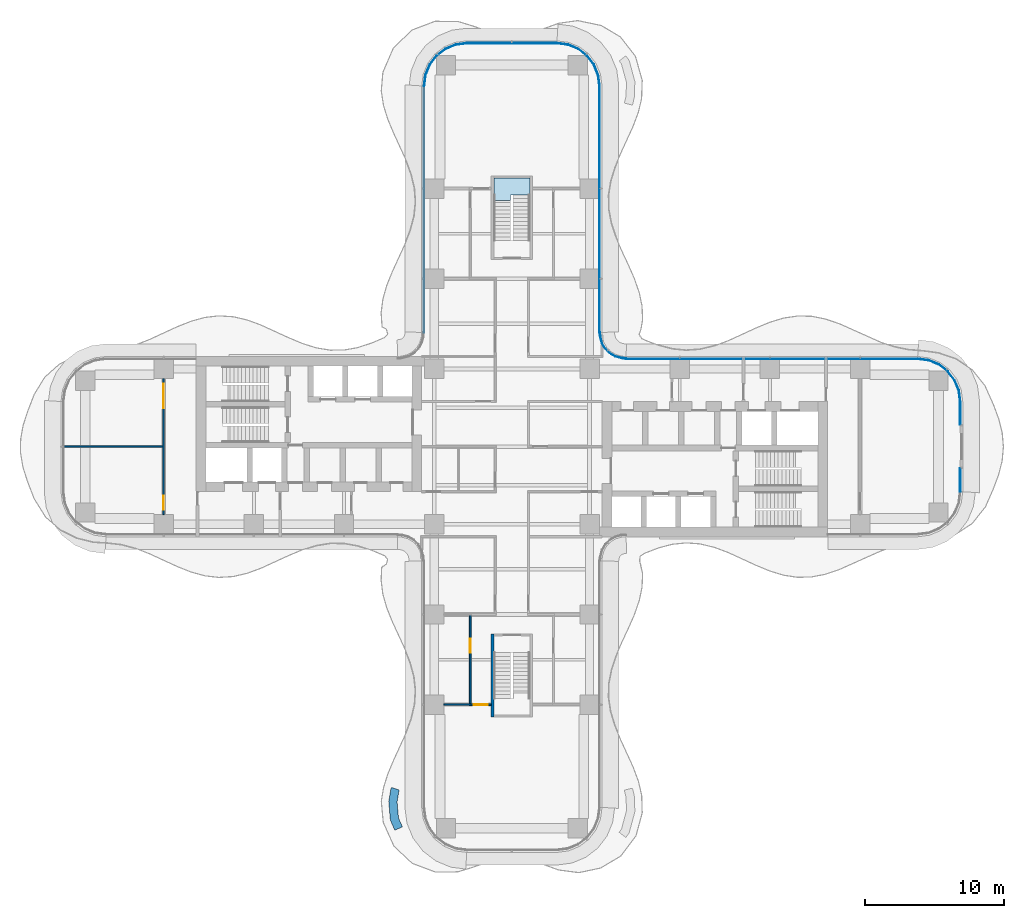
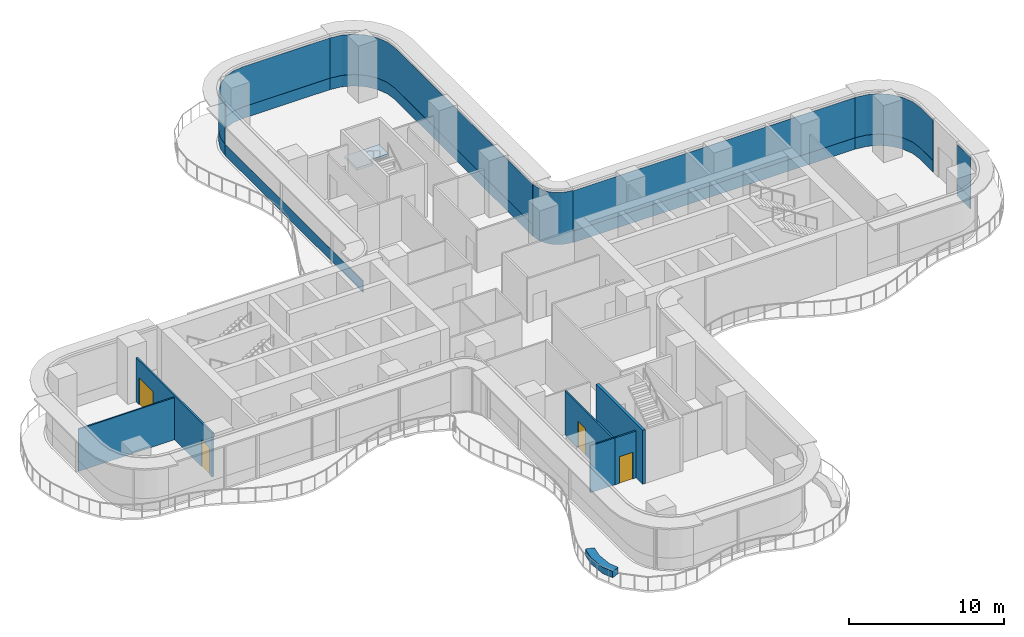
# One storey, part 16 of 22: 12 plates, 7 walls, 4 doors, 1 slab, 4 openings, 8 elements without a shape of their own.
"""IFC4 building model written with IfcOpenShell, lengths in metres."""

from ifc_helpers import new_model, si_unit, direction, frame, frame_2d, origin, place, context, subcontext, project, spatial, polyline, rectangle, outline, extrude, source, transform, mapped, material, layer, layer_set, type_object, element, fill, aggregate, save


model = new_model("IFC4")

# Units and contexts
model_context = context("Model", 3, precision=1e-05, world=origin(), true_north=direction((0.0, 1.0)))
body_context = subcontext(model_context, "Body", "Model", "MODEL_VIEW")
ifc_project = project(units=[si_unit("LENGTHUNIT", "METRE"), si_unit("AREAUNIT", "SQUARE_METRE"), si_unit("VOLUMEUNIT", "CUBIC_METRE"), si_unit("PLANEANGLEUNIT", "RADIAN"), si_unit("MASSUNIT", "GRAM", prefix="KILO")], contexts=[model_context])

# Site, building, storey
site_placement = place(None, origin())
site = spatial("IfcSite", under=ifc_project, at=site_placement, CompositionType="ELEMENT")
building_placement = place(site_placement, origin())
building = spatial("IfcBuilding", under=site, at=building_placement, Name="Trellis Farm Tower", CompositionType="ELEMENT")
storey_placement = place(building_placement, frame((0.0, 0.0, 43.0)))
storey = spatial("IfcBuildingStorey", under=building, at=storey_placement, Name="L08", CompositionType="ELEMENT", Elevation=43.0)

# Stair, slab
ifc_material_1 = material(Name="Concrete C50/60", Category="concrete")
stair_type = type_object("IfcStairType", Name="CORE EXIT STAIR 26 RISERS 173 MM", PredefinedType="HALF_TURN_STAIR", material=ifc_material_1)
placement_1 = place(storey_placement, origin())
stair = element("IfcStair", 1, at=placement_1, inside=storey, type_object=stair_type, Name="Exit stair N", PredefinedType="HALF_TURN_STAIR")
ifc_layer_1 = layer(ifc_material_1, 0.18994140625)
ifc_layer_set_1 = layer_set([ifc_layer_1], Name="CORE STAIR LANDING 190 CONCRETE C50/60")
slab_type = type_object("IfcSlabType", Name="CORE STAIR LANDING 190 CONCRETE C50/60", PredefinedType="LANDING", material=ifc_layer_set_1)
shared_shape_1 = source(origin(), body_context, "Body", "SweptSolid", [
    extrude(outline(polyline([(-0.10009765625, 17.753173828125), (-1.300048828125, 17.753173828125), (-1.300048828125, 18.14990234375), (-1.300048828125, 19.35009765625), (1.300048828125, 19.35009765625), (1.300048828125, 18.14990234375), (1.300048828125, 18.139892578125), (0.10009765625, 18.139892578125), (0.10009765625, 18.14990234375), (-0.10009765625, 18.14990234375), (-0.10009765625, 17.753173828125)])), origin(), (0.0, 0.0, 1.0), 0.18994140625),
])
slab_placement = place(storey_placement, frame((0.0, 0.0, 2.06005859375)))
slab = element("IfcSlab", 2, at=slab_placement, type_object=slab_type, Name="STN landing 1", PredefinedType="LANDING", context=body_context, shape_type="MappedRepresentation", body=[
    mapped(shared_shape_1, transform((0.0, 0.0, 0.0))),
])
aggregate(stair, [slab])

# Curtain wall, plates
ifc_material_2 = material(Name="Aluminium and glass curtain wall", Category="aluminium")
ifc_layer_2 = layer(ifc_material_2, 0.18994140625)
ifc_layer_set_2 = layer_set([ifc_layer_2], Name="RIBBON CURTAIN WALL CW1")
curtain_wall_type_1 = type_object("IfcCurtainWallType", Name="RIBBON CURTAIN WALL CW1", PredefinedType="NOTDEFINED", material=ifc_layer_set_2)
curtain_wall_1 = element("IfcCurtainWall", 3, at=placement_1, inside=storey, type_object=curtain_wall_type_1, Name="CW1 008", PredefinedType="NOTDEFINED")
ifc_material_3 = material(Name="Clear insulated glass", Category="glass")
ifc_layer_3 = layer(ifc_material_3, 0.0400390625)
ifc_layer_set_3 = layer_set([ifc_layer_3], Name="CW1 GLASS PANEL 40")
plate_type_1 = type_object("IfcPlateType", Name="CW1 GLASS PANEL 40", PredefinedType="CURTAIN_PANEL", material=ifc_layer_set_3)
shared_shape_2 = source(origin(), body_context, "Body", "SweptSolid", [
    extrude(outline(polyline([(29.240234375, 6.35009765625), (8.2265625, 6.35009765625), (8.22509765625, 6.31005859375), (29.237548828125, 6.31005859375), (29.240234375, 6.35009765625)])), origin(), (0.0, 0.0, 1.0), 3.170166015625),
])
placement_2 = place(storey_placement, frame((0.0, 0.0, 0.89990234375)))
plate_1 = element("IfcPlate", 4, at=placement_2, type_object=plate_type_1, Name="PL1 008", PredefinedType="CURTAIN_PANEL", context=body_context, shape_type="MappedRepresentation", body=[
    mapped(shared_shape_2, transform((0.0, 0.0, 0.0))),
])
ifc_material_4 = material(Name="Sandstone faced insulated panel", Category="masonry")
ifc_layer_4 = layer(ifc_material_4, 0.050048828125)
ifc_layer_set_4 = layer_set([ifc_layer_4], Name="CW1 STONE SPANDREL PANEL 50")
plate_type_2 = type_object("IfcPlateType", Name="CW1 STONE SPANDREL PANEL 50", PredefinedType="CURTAIN_PANEL", material=ifc_layer_set_4)
shared_shape_3 = source(origin(), body_context, "Body", "SweptSolid", [
    extrude(outline(polyline([(29.240234375, 6.35009765625), (8.2265625, 6.35009765625), (8.224853515625, 6.300048828125), (29.23681640625, 6.300048828125), (29.240234375, 6.35009765625)])), origin(), (0.0, 0.0, 1.0), 0.89990234375),
])
plate_2 = element("IfcPlate", 5, at=placement_1, type_object=plate_type_2, Name="PS1 008", PredefinedType="CURTAIN_PANEL", context=body_context, shape_type="MappedRepresentation", body=[
    mapped(shared_shape_3, transform((0.0, 0.0, 0.0))),
])
aggregate(curtain_wall_1, [plate_1, plate_2])

# Curtain wall, plate
ifc_layer_5 = layer(ifc_material_2, 0.166015625)
ifc_layer_set_5 = layer_set([ifc_layer_5], Name="WINTER GARDEN CURTAIN WALL CW3")
curtain_wall_type_2 = type_object("IfcCurtainWallType", Name="WINTER GARDEN CURTAIN WALL CW3", PredefinedType="NOTDEFINED", material=ifc_layer_set_5)
curtain_wall_2 = element("IfcCurtainWall", 6, at=placement_1, inside=storey, type_object=curtain_wall_type_2, Name="CW3 003", PredefinedType="NOTDEFINED")
ifc_layer_6 = layer(ifc_material_3, 0.0458984375)
ifc_layer_set_6 = layer_set([ifc_layer_6], Name="CW3 GLASS PANEL 46")
plate_type_3 = type_object("IfcPlateType", Name="CW3 GLASS PANEL 46", PredefinedType="CURTAIN_PANEL", material=ifc_layer_set_6)
shared_shape_4 = source(origin(), body_context, "Body", "SweptSolid", [
    extrude(outline(polyline([(8.2275390625, 6.3798828125), (8.0078125, 6.394287109375), (7.89208984375, 6.40966796875), (7.462158203125, 6.52490234375), (7.070556640625, 6.7509765625), (6.7509765625, 7.070556640625), (6.52490234375, 7.462158203125), (6.40966796875, 7.89208984375), (6.394287109375, 8.0078125), (6.3798828125, 8.2275390625), (6.333984375, 8.22607421875), (6.3486328125, 8.003173828125), (6.364501953125, 7.883056640625), (6.48193359375, 7.4443359375), (6.714111328125, 7.04248046875), (7.04248046875, 6.714111328125), (7.4443359375, 6.48193359375), (7.883056640625, 6.364501953125), (8.003173828125, 6.3486328125), (8.22607421875, 6.333984375), (8.2275390625, 6.3798828125)])), origin(), (0.0, 0.0, 1.0), 4.10009765625),
])
plate_3 = element("IfcPlate", 7, at=placement_1, type_object=plate_type_3, Name="PL3 003", PredefinedType="CURTAIN_PANEL", context=body_context, shape_type="MappedRepresentation", body=[
    mapped(shared_shape_4, transform((0.0, 0.0, 0.0))),
])
aggregate(curtain_wall_2, [plate_3])

# Curtain wall, plates
curtain_wall_3 = element("IfcCurtainWall", 8, at=placement_1, inside=storey, type_object=curtain_wall_type_1, Name="CW1 010", PredefinedType="NOTDEFINED")
shared_shape_5 = source(origin(), body_context, "Body", "SweptSolid", [
    extrude(outline(polyline([(3.240234375, 29.10009765625), (-3.240234375, 29.10009765625), (-4.052001953125, 28.9931640625), (-4.79931640625, 28.68359375), (-5.441162109375, 28.191162109375), (-5.93359375, 27.54931640625), (-6.2431640625, 26.802001953125), (-6.35009765625, 25.990234375), (-6.31005859375, 25.987548828125), (-6.2041015625, 26.79150390625), (-5.898681640625, 27.529296875), (-5.41259765625, 28.16259765625), (-4.779296875, 28.648681640625), (-4.04150390625, 28.9541015625), (-3.237548828125, 29.06005859375), (3.237548828125, 29.06005859375), (3.240234375, 29.10009765625)])), origin(), (0.0, 0.0, 1.0), 3.170166015625),
])
plate_4 = element("IfcPlate", 9, at=placement_2, type_object=plate_type_1, Name="PL1 010", PredefinedType="CURTAIN_PANEL", context=body_context, shape_type="MappedRepresentation", body=[
    mapped(shared_shape_5, transform((0.0, 0.0, 0.0))),
])
shared_shape_6 = source(origin(), body_context, "Body", "SweptSolid", [
    extrude(outline(polyline([(3.240234375, 29.10009765625), (-3.240234375, 29.10009765625), (-4.052001953125, 28.9931640625), (-4.79931640625, 28.68359375), (-5.441162109375, 28.191162109375), (-5.93359375, 27.54931640625), (-6.2431640625, 26.802001953125), (-6.35009765625, 25.990234375), (-6.300048828125, 25.98681640625), (-6.1943359375, 26.7890625), (-5.889892578125, 27.524169921875), (-5.405517578125, 28.155517578125), (-4.774169921875, 28.639892578125), (-4.0390625, 28.9443359375), (-3.23681640625, 29.050048828125), (3.23681640625, 29.050048828125), (3.240234375, 29.10009765625)])), origin(), (0.0, 0.0, 1.0), 0.89990234375),
])
plate_5 = element("IfcPlate", 10, at=placement_1, type_object=plate_type_2, Name="PS1 010", PredefinedType="CURTAIN_PANEL", context=body_context, shape_type="MappedRepresentation", body=[
    mapped(shared_shape_6, transform((0.0, 0.0, 0.0))),
])
aggregate(curtain_wall_3, [plate_4, plate_5])

# Curtain wall, plate
curtain_wall_4 = element("IfcCurtainWall", 11, at=placement_1, inside=storey, type_object=curtain_wall_type_1, Name="CW1 011", PredefinedType="NOTDEFINED")
shared_shape_7 = source(origin(), body_context, "Body", "SweptSolid", [
    extrude(outline(polyline([(-6.35009765625, 25.990234375), (-6.35009765625, 8.2265625), (-6.300048828125, 8.224853515625), (-6.300048828125, 25.98681640625), (-6.35009765625, 25.990234375)])), origin(), (0.0, 0.0, 1.0), 0.89990234375),
])
plate_6 = element("IfcPlate", 12, at=placement_1, type_object=plate_type_2, Name="PS1 011", PredefinedType="CURTAIN_PANEL", context=body_context, shape_type="MappedRepresentation", body=[
    mapped(shared_shape_7, transform((0.0, 0.0, 0.0))),
])
aggregate(curtain_wall_4, [plate_6])

# Curtain wall, plates
curtain_wall_5 = element("IfcCurtainWall", 13, at=placement_1, inside=storey, type_object=curtain_wall_type_1, Name="CW1 006", PredefinedType="NOTDEFINED")
shared_shape_8 = source(origin(), body_context, "Body", "SweptSolid", [
    extrude(outline(polyline([(32.35009765625, -3.240234375), (32.35009765625, -1.56005859375), (32.31005859375, -1.56005859375), (32.31005859375, -3.237548828125), (32.35009765625, -3.240234375)])), origin(), (0.0, 0.0, 1.0), 3.170166015625),
])
plate_7 = element("IfcPlate", 14, at=placement_2, type_object=plate_type_1, Name="PL1 006", PredefinedType="CURTAIN_PANEL", context=body_context, shape_type="MappedRepresentation", body=[
    mapped(shared_shape_8, transform((0.0, 0.0, 0.0))),
])
shared_shape_9 = source(origin(), body_context, "Body", "SweptSolid", [
    extrude(outline(polyline([(32.35009765625, -3.240234375), (32.35009765625, -1.56005859375), (32.300048828125, -1.56005859375), (32.300048828125, -3.23681640625), (32.35009765625, -3.240234375)])), origin(), (0.0, 0.0, 1.0), 0.89990234375),
])
plate_8 = element("IfcPlate", 15, at=placement_1, type_object=plate_type_2, Name="PS1 006", PredefinedType="CURTAIN_PANEL", context=body_context, shape_type="MappedRepresentation", body=[
    mapped(shared_shape_9, transform((0.0, 0.0, 0.0))),
])
aggregate(curtain_wall_5, [plate_7, plate_8])

curtain_wall_6 = element("IfcCurtainWall", 16, at=placement_1, inside=storey, type_object=curtain_wall_type_1, Name="CW1 007", PredefinedType="NOTDEFINED")
shared_shape_10 = source(origin(), body_context, "Body", "SweptSolid", [
    extrude(outline(polyline([(32.35009765625, 1.56005859375), (32.35009765625, 3.240234375), (32.2431640625, 4.052001953125), (31.93359375, 4.79931640625), (31.441162109375, 5.441162109375), (30.79931640625, 5.93359375), (30.052001953125, 6.2431640625), (29.240234375, 6.35009765625), (29.237548828125, 6.31005859375), (30.04150390625, 6.2041015625), (30.779296875, 5.898681640625), (31.41259765625, 5.41259765625), (31.898681640625, 4.779296875), (32.2041015625, 4.04150390625), (32.31005859375, 3.237548828125), (32.31005859375, 1.56005859375), (32.35009765625, 1.56005859375)])), origin(), (0.0, 0.0, 1.0), 3.170166015625),
])
plate_9 = element("IfcPlate", 17, at=placement_2, type_object=plate_type_1, Name="PL1 007", PredefinedType="CURTAIN_PANEL", context=body_context, shape_type="MappedRepresentation", body=[
    mapped(shared_shape_10, transform((0.0, 0.0, 0.0))),
])
shared_shape_11 = source(origin(), body_context, "Body", "SweptSolid", [
    extrude(outline(polyline([(32.35009765625, 1.56005859375), (32.35009765625, 3.240234375), (32.2431640625, 4.052001953125), (31.93359375, 4.79931640625), (31.441162109375, 5.441162109375), (30.79931640625, 5.93359375), (30.052001953125, 6.2431640625), (29.240234375, 6.35009765625), (29.23681640625, 6.300048828125), (30.0390625, 6.1943359375), (30.774169921875, 5.889892578125), (31.405517578125, 5.405517578125), (31.889892578125, 4.774169921875), (32.1943359375, 4.0390625), (32.300048828125, 3.23681640625), (32.300048828125, 1.56005859375), (32.35009765625, 1.56005859375)])), origin(), (0.0, 0.0, 1.0), 0.89990234375),
])
plate_10 = element("IfcPlate", 18, at=placement_1, type_object=plate_type_2, Name="PS1 007", PredefinedType="CURTAIN_PANEL", context=body_context, shape_type="MappedRepresentation", body=[
    mapped(shared_shape_11, transform((0.0, 0.0, 0.0))),
])
aggregate(curtain_wall_6, [plate_9, plate_10])

curtain_wall_7 = element("IfcCurtainWall", 19, at=placement_1, inside=storey, type_object=curtain_wall_type_1, Name="CW1 009", PredefinedType="NOTDEFINED")
shared_shape_12 = source(origin(), body_context, "Body", "SweptSolid", [
    extrude(outline(polyline([(6.35009765625, 8.2265625), (6.35009765625, 25.990234375), (6.2431640625, 26.802001953125), (5.93359375, 27.54931640625), (5.441162109375, 28.191162109375), (4.79931640625, 28.68359375), (4.052001953125, 28.9931640625), (3.240234375, 29.10009765625), (3.237548828125, 29.06005859375), (4.04150390625, 28.9541015625), (4.779296875, 28.648681640625), (5.41259765625, 28.16259765625), (5.898681640625, 27.529296875), (6.2041015625, 26.79150390625), (6.31005859375, 25.987548828125), (6.31005859375, 8.22509765625), (6.35009765625, 8.2265625)])), origin(), (0.0, 0.0, 1.0), 3.170166015625),
])
plate_11 = element("IfcPlate", 20, at=placement_2, type_object=plate_type_1, Name="PL1 009", PredefinedType="CURTAIN_PANEL", context=body_context, shape_type="MappedRepresentation", body=[
    mapped(shared_shape_12, transform((0.0, 0.0, 0.0))),
])
shared_shape_13 = source(origin(), body_context, "Body", "SweptSolid", [
    extrude(outline(polyline([(6.35009765625, 8.2265625), (6.35009765625, 25.990234375), (6.2431640625, 26.802001953125), (5.93359375, 27.54931640625), (5.441162109375, 28.191162109375), (4.79931640625, 28.68359375), (4.052001953125, 28.9931640625), (3.240234375, 29.10009765625), (3.23681640625, 29.050048828125), (4.0390625, 28.9443359375), (4.774169921875, 28.639892578125), (5.405517578125, 28.155517578125), (5.889892578125, 27.524169921875), (6.1943359375, 26.7890625), (6.300048828125, 25.98681640625), (6.300048828125, 8.224853515625), (6.35009765625, 8.2265625)])), origin(), (0.0, 0.0, 1.0), 0.89990234375),
])
plate_12 = element("IfcPlate", 21, at=placement_1, type_object=plate_type_2, Name="PS1 009", PredefinedType="CURTAIN_PANEL", context=body_context, shape_type="MappedRepresentation", body=[
    mapped(shared_shape_13, transform((0.0, 0.0, 0.0))),
])
aggregate(curtain_wall_7, [plate_11, plate_12])

# Walls
ifc_material_5 = material(Name="Sandstone faced masonry planter", Category="masonry")
ifc_layer_7 = layer(ifc_material_5, 0.60009765625)
ifc_layer_set_7 = layer_set([ifc_layer_7], Name="PLANTER BED 600")
wall_type_1 = type_object("IfcWallType", Name="PLANTER BED 600", PredefinedType="USERDEFINED", material=ifc_layer_set_7)
element("IfcWall", 22, at=placement_1, inside=storey, type_object=wall_type_1, Name="PLANTER bed", ObjectType="PLANTER", PredefinedType="USERDEFINED", context=body_context, shape_type="SweptSolid", body=[
    extrude(outline(polyline([(-8.876220703125, -25.595703125), (-8.732421875, -24.712646484375), (-8.686279296875, -24.565673828125), (-8.113525390625, -24.74462890625), (-8.14697265625, -24.85107421875), (-8.27197265625, -25.617919921875), (-8.16943359375, -26.767333984375), (-7.886962890625, -27.406494140625), (-8.435791015625, -27.649169921875), (-8.75830078125, -26.91943359375), (-8.876220703125, -25.595703125)])), origin(), (0.0, 0.0, 1.0), 0.5),
])
ifc_material_6 = material(Name="Concrete C80/95", Category="concrete")
ifc_layer_8 = layer(ifc_material_6, 0.199951171875)
ifc_layer_set_8 = layer_set([ifc_layer_8], Name="CORE STAIR ENCLOSURE WALL 200 CONCRETE C80/95")
wall_type_2 = type_object("IfcWallType", Name="CORE STAIR ENCLOSURE WALL 200 CONCRETE C80/95", PredefinedType="SHEAR", material=ifc_layer_set_8)
shared_shape_14 = source(origin(), body_context, "Body", "SweptSolid", [
    extrude(rectangle(XDim=6.0, YDim=0.199951171875, at=frame_2d((3.0, 0.0))), origin(), (0.0, 0.0, 1.0), 4.25),
])
wall_2_placement = place(storey_placement, frame((-1.39990234375, -13.5, 0.0), z_axis=(0.0, 0.0, 1.0), x_axis=(0.0, -1.0, 0.0)))
element("IfcWall", 23, at=wall_2_placement, inside=storey, type_object=wall_type_2, Name="Stair enclosure wall", PredefinedType="SHEAR", context=body_context, shape_type="MappedRepresentation", body=[
    mapped(shared_shape_14, transform((0.0, 0.0, 0.0))),
])

# Wall, openings, doors
ifc_material_7 = material(Name="Plasterboard on steel studs, mineral wool", Category="steel")
ifc_layer_9 = layer(ifc_material_7, 0.125)
ifc_layer_set_9 = layer_set([ifc_layer_9], Name="PARTITION 125 STUD EI 60")
wall_type_3 = type_object("IfcWallType", Name="PARTITION 125 STUD EI 60", PredefinedType="PARTITIONING", material=ifc_layer_set_9)
shared_shape_15 = source(origin(), body_context, "Body", "SweptSolid", [
    extrude(rectangle(XDim=9.7998046875, YDim=0.125, at=frame_2d((4.89990234375, 0.0))), origin(), (0.0, 0.0, 1.0), 3.4677734375),
])
wall_3_placement = place(storey_placement, frame((-25.10009765625, -4.89990234375, 0.0), z_axis=(0.0, 0.0, 1.0), x_axis=(0.0, 1.0, 0.0)))
wall_3 = element("IfcWall", 24, at=wall_3_placement, inside=storey, type_object=wall_type_3, Name="Partition PW1", PredefinedType="PARTITIONING", context=body_context, shape_type="MappedRepresentation", body=[
    mapped(shared_shape_15, transform((0.0, 0.0, 0.0))),
])
shared_shape_16 = source(origin(), body_context, "Body", "SweptSolid", [
    extrude(rectangle(XDim=1.0, YDim=2.10009765625, at=frame_2d((0.5, 1.050048828125))), frame((0.0, 0.072509765625, 0.0), z_axis=(0.0, -1.0, 0.0), x_axis=(1.0, 0.0, 0.0)), (0.0, 0.0, 1.0), 0.14501953125),
])
opening_1_placement = place(wall_3_placement, frame((0.35009765625, 0.0, 0.0)))
opening_1 = element("IfcOpeningElement", 25, at=opening_1_placement, cuts=wall_3, Name="Opening D105", PredefinedType="OPENING", context=body_context, shape_type="MappedRepresentation", body=[
    mapped(shared_shape_16, transform((0.0, 0.0, 0.0))),
])
shared_shape_17 = source(origin(), body_context, "Body", "SweptSolid", [
    extrude(rectangle(XDim=1.800048828125, YDim=2.10009765625, at=frame_2d((0.89990234375, 1.050048828125))), frame((0.0, 0.072509765625, 0.0), z_axis=(0.0, -1.0, 0.0), x_axis=(1.0, 0.0, 0.0)), (0.0, 0.0, 1.0), 0.14501953125),
])
opening_2_placement = place(wall_3_placement, frame((7.64990234375, 0.0, 0.0)))
opening_2 = element("IfcOpeningElement", 26, at=opening_2_placement, cuts=wall_3, Name="Opening D201", PredefinedType="OPENING", context=body_context, shape_type="MappedRepresentation", body=[
    mapped(shared_shape_17, transform((0.0, 0.0, 0.0))),
])
ifc_material_8 = material(Name="Fire-rated timber door leaf in a hollow metal frame", Category="wood")
door_type_1 = type_object("IfcDoorType", Name="DOOR 1000x2100 FD30S", OperationType="NOTDEFINED", PredefinedType="DOOR", material=ifc_material_8)
shared_shape_18 = source(origin(), body_context, "Body", "SweptSolid", [
    extrude(rectangle(XDim=1.0, YDim=2.10009765625, at=frame_2d((0.5, 1.050048828125))), frame((0.0, 0.02490234375, 0.0), z_axis=(0.0, -1.0, 0.0), x_axis=(1.0, 0.0, 0.0)), (0.0, 0.0, 1.0), 0.050048828125),
])
door_1_placement = place(opening_1_placement, origin())
door_1 = element("IfcDoor", 27, at=door_1_placement, inside=storey, type_object=door_type_1, Name="Door D105", OperationType="SINGLE_SWING_LEFT", OverallHeight=2.10009765625, OverallWidth=1.0, PredefinedType="DOOR", context=body_context, shape_type="MappedRepresentation", body=[
    mapped(shared_shape_18, transform((0.0, 0.0, 0.0))),
])
fill(opening_1, door_1)
door_type_2 = type_object("IfcDoorType", Name="DOOR PAIR 1800x2100 FD30S", OperationType="NOTDEFINED", PredefinedType="DOOR", material=ifc_material_8)
shared_shape_19 = source(origin(), body_context, "Body", "SweptSolid", [
    extrude(rectangle(XDim=1.800048828125, YDim=2.10009765625, at=frame_2d((0.89990234375, 1.050048828125))), frame((0.0, 0.02490234375, 0.0), z_axis=(0.0, -1.0, 0.0), x_axis=(1.0, 0.0, 0.0)), (0.0, 0.0, 1.0), 0.050048828125),
])
door_2_placement = place(opening_2_placement, origin())
door_2 = element("IfcDoor", 28, at=door_2_placement, inside=storey, type_object=door_type_2, Name="Door D201", OperationType="DOUBLE_DOOR_SINGLE_SWING", OverallHeight=2.10009765625, OverallWidth=1.800048828125, PredefinedType="DOOR", context=body_context, shape_type="MappedRepresentation", body=[
    mapped(shared_shape_19, transform((0.0, 0.0, 0.0))),
])
fill(opening_2, door_2)

# Wall
ifc_material_9 = material(Name="Plasterboard on steel studs", Category="steel")
ifc_layer_10 = layer(ifc_material_9, 0.10009765625)
ifc_layer_set_10 = layer_set([ifc_layer_10], Name="PARTITION 100 STUD EI 30")
wall_type_4 = type_object("IfcWallType", Name="PARTITION 100 STUD EI 30", PredefinedType="PARTITIONING", material=ifc_layer_set_10)
shared_shape_20 = source(origin(), body_context, "Body", "SweptSolid", [
    extrude(rectangle(XDim=1.96240234375, YDim=0.10009765625, at=frame_2d((0.981201171875, 0.0))), origin(), (0.0, 0.0, 1.0), 3.69677734375),
])
wall_4_placement = place(storey_placement, frame((-4.89990234375, -18.60009765625, 0.0), z_axis=(0.0, 0.0, 1.0), x_axis=(1.0, 0.0, 0.0)))
element("IfcWall", 29, at=wall_4_placement, inside=storey, type_object=wall_type_4, Name="Partition PW2", PredefinedType="PARTITIONING", context=body_context, shape_type="MappedRepresentation", body=[
    mapped(shared_shape_20, transform((0.0, 0.0, 0.0))),
])

# Wall, opening, door
shared_shape_21 = source(origin(), body_context, "Body", "SweptSolid", [
    extrude(rectangle(XDim=1.5625, YDim=0.125, at=frame_2d((0.78125, 0.0))), origin(), (0.0, 0.0, 1.0), 3.69677734375),
])
wall_5_placement = place(storey_placement, frame((-1.5, -18.60009765625, 0.0), z_axis=(0.0, 0.0, 1.0), x_axis=(-1.0, 0.0, 0.0)))
wall_5 = element("IfcWall", 30, at=wall_5_placement, inside=storey, type_object=wall_type_3, Name="Partition PW1", PredefinedType="PARTITIONING", context=body_context, shape_type="MappedRepresentation", body=[
    mapped(shared_shape_21, transform((0.0, 0.0, 0.0))),
])
opening_3_placement = place(wall_5_placement, frame((0.25, 0.0, 0.0)))
opening_3 = element("IfcOpeningElement", 31, at=opening_3_placement, cuts=wall_5, Name="Opening D101", PredefinedType="OPENING", context=body_context, shape_type="MappedRepresentation", body=[
    mapped(shared_shape_16, transform((0.0, 0.0, 0.0))),
])
door_3_placement = place(opening_3_placement, origin())
door_3 = element("IfcDoor", 32, at=door_3_placement, inside=storey, type_object=door_type_1, Name="Door D101", OperationType="SINGLE_SWING_LEFT", OverallHeight=2.10009765625, OverallWidth=1.0, PredefinedType="DOOR", context=body_context, shape_type="MappedRepresentation", body=[
    mapped(shared_shape_18, transform((0.0, 0.0, 0.0))),
])
fill(opening_3, door_3)

shared_shape_22 = source(origin(), body_context, "Body", "SweptSolid", [
    extrude(rectangle(XDim=6.400146484375, YDim=0.125, at=frame_2d((3.2001953125, 0.0))), origin(), (0.0, 0.0, 1.0), 3.4677734375),
])
wall_6_placement = place(storey_placement, frame((-3.0, -18.550048828125, 0.0), z_axis=(0.0, 0.0, 1.0), x_axis=(0.0, 1.0, 0.0)))
wall_6 = element("IfcWall", 33, at=wall_6_placement, inside=storey, type_object=wall_type_3, Name="Partition PW1", PredefinedType="PARTITIONING", context=body_context, shape_type="MappedRepresentation", body=[
    mapped(shared_shape_22, transform((0.0, 0.0, 0.0))),
])
opening_4_placement = place(wall_6_placement, frame((3.699951171875, 0.0, 0.0)))
opening_4 = element("IfcOpeningElement", 34, at=opening_4_placement, cuts=wall_6, Name="Opening D102", PredefinedType="OPENING", context=body_context, shape_type="MappedRepresentation", body=[
    mapped(shared_shape_16, transform((0.0, 0.0, 0.0))),
])
door_4_placement = place(opening_4_placement, origin())
door_4 = element("IfcDoor", 35, at=door_4_placement, inside=storey, type_object=door_type_1, Name="Door D102", OperationType="SINGLE_SWING_RIGHT", OverallHeight=2.10009765625, OverallWidth=1.0, PredefinedType="DOOR", context=body_context, shape_type="MappedRepresentation", body=[
    mapped(shared_shape_18, transform((0.0, 0.0, 0.0))),
])
fill(opening_4, door_4)

# Wall
shared_shape_23 = source(origin(), body_context, "Body", "SweptSolid", [
    extrude(rectangle(XDim=7.137451171875, YDim=0.10009765625, at=frame_2d((3.56884765625, 0.0))), origin(), (0.0, 0.0, 1.0), 3.330078125),
])
wall_7_placement = place(storey_placement, frame((-32.300048828125, 0.0, 0.0), z_axis=(0.0, 0.0, 1.0), x_axis=(1.0, 0.0, 0.0)))
element("IfcWall", 36, at=wall_7_placement, inside=storey, type_object=wall_type_4, Name="Partition PW2", PredefinedType="PARTITIONING", context=body_context, shape_type="MappedRepresentation", body=[
    mapped(shared_shape_23, transform((0.0, 0.0, 0.0))),
])

save(model, "model.ifc")
